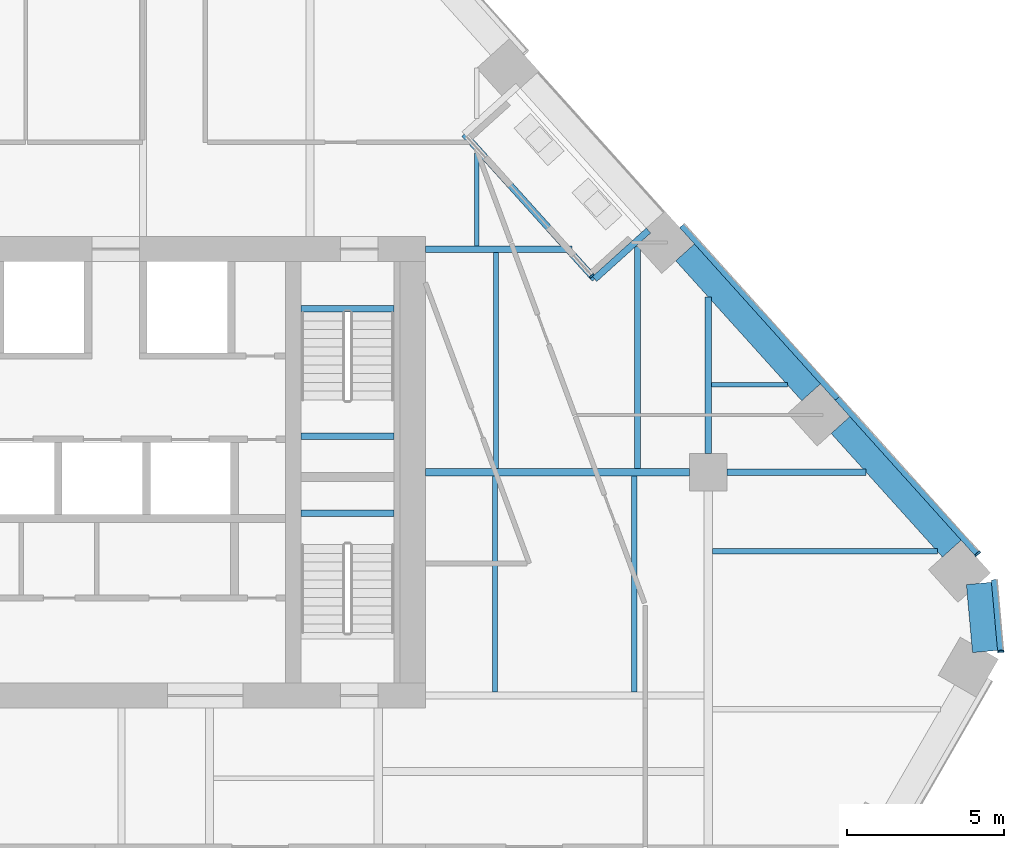
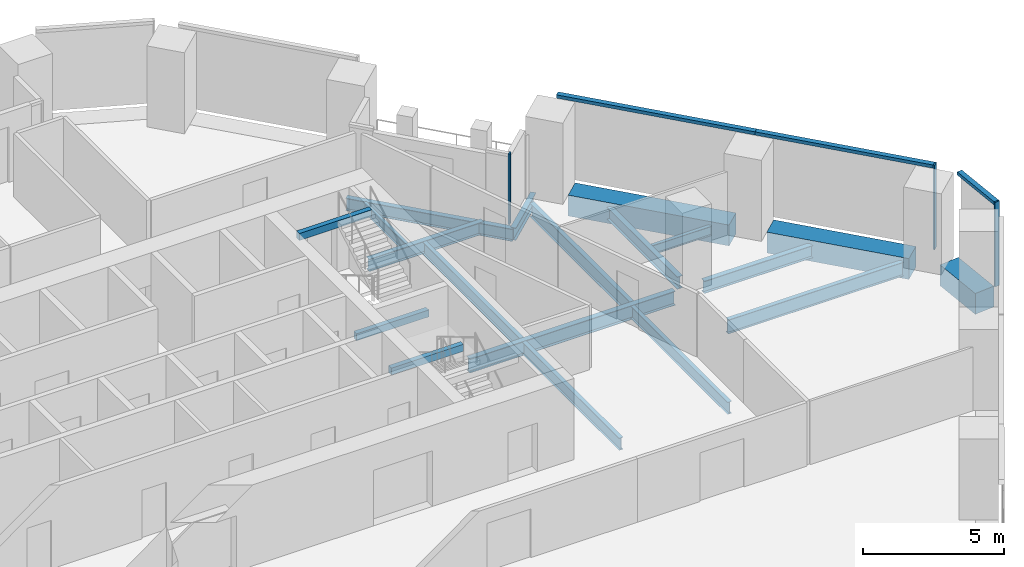
# One storey, part 9 of 24: 19 beams, 6 members, 3 elements without a shape of their own.
"""IFC4 building model written with IfcOpenShell, lengths in metres."""

from ifc_helpers import new_model, si_unit, direction, frame, origin, origin_2d, place, context, subcontext, project, spatial, rectangle, i_section, extrude, material, layer, layer_set, material_profile, profile_set, type_object, element, aggregate, save


model = new_model("IFC4")

# Units and contexts
model_context = context("Model", 3, precision=1e-05, world=origin(), true_north=direction((0.0, 1.0)))
body_context = subcontext(model_context, "Body", "Model", "MODEL_VIEW")
ifc_project = project(units=[si_unit("LENGTHUNIT", "METRE"), si_unit("AREAUNIT", "SQUARE_METRE"), si_unit("VOLUMEUNIT", "CUBIC_METRE"), si_unit("PLANEANGLEUNIT", "RADIAN"), si_unit("MASSUNIT", "GRAM", prefix="KILO")], contexts=[model_context])

# Site, building, storey
site_placement = place(None, origin())
site = spatial("IfcSite", under=ifc_project, at=site_placement, CompositionType="ELEMENT")
building_placement = place(site_placement, origin())
building = spatial("IfcBuilding", under=site, at=building_placement, Name="Isthmus Gate Tower", CompositionType="ELEMENT")
storey_placement = place(building_placement, frame((0.0, 0.0, 159.0)))
storey = spatial("IfcBuildingStorey", under=building, at=storey_placement, Name="L39", CompositionType="ELEMENT", Elevation=159.0)

# Curtain wall, member
ifc_material_1 = material(Name="Aluminium, pale champagne anodised", Category="aluminium")
ifc_layer_1 = layer(ifc_material_1, 0.199951171875)
ifc_layer_set_1 = layer_set([ifc_layer_1], Name="CW-1 UNITISED CURTAIN WALL 200 DEEP")
curtain_wall_type_1 = type_object("IfcCurtainWallType", Name="CW-1 UNITISED CURTAIN WALL 200 DEEP", PredefinedType="NOTDEFINED", material=ifc_layer_set_1)
curtain_wall_1_placement = place(storey_placement, origin())
curtain_wall_1 = element("IfcCurtainWall", 1, at=curtain_wall_1_placement, inside=storey, type_object=curtain_wall_type_1, Name="CW-1 SE-NE L39", PredefinedType="NOTDEFINED")
ifc_material_2 = material(Name="Aluminium, pale champagne anodised", Category="aluminium")
ifc_material_profile_1 = material_profile(ifc_material_2, rectangle(XDim=0.06005859375, YDim=0.199951171875, at=origin_2d()), Name="60x200")
ifc_profile_set_1 = profile_set([ifc_material_profile_1], Name="Aluminium, pale champagne anodised")
member_type_1 = type_object("IfcMemberType", Name="CW-1 MULLION 60 X 200", PredefinedType="MULLION", material=ifc_profile_set_1)
member_1_placement = place(storey_placement, frame((33.307861328125, 1.804443359375, 0.0), z_axis=(0.0, 0.0, 1.0), x_axis=(-0.089396669717, 0.995996102123, 0.0)))
member_1 = element("IfcMember", 2, at=member_1_placement, type_object=member_type_1, Name="CW-1 mullion", PredefinedType="MULLION", context=body_context, shape_type="SweptSolid", body=[
    extrude(rectangle(XDim=0.06005859375, YDim=0.199951171875, at=origin_2d()), origin(), (0.0, 0.0, 1.0), 3.64990234375),
])

curtain_wall_2_placement = place(storey_placement, origin())
curtain_wall_2 = element("IfcCurtainWall", 3, at=curtain_wall_2_placement, inside=storey, type_object=curtain_wall_type_1, Name="CW-1 NE L39", PredefinedType="NOTDEFINED")
member_2_placement = place(storey_placement, frame((32.5693359375, 4.908447265625, 0.0), z_axis=(0.0, 0.0, 1.0), x_axis=(-0.669130606359, 0.743144825477, 0.0)))
member_2 = element("IfcMember", 4, at=member_2_placement, type_object=member_type_1, Name="CW-1 mullion", PredefinedType="MULLION", context=body_context, shape_type="SweptSolid", body=[
    extrude(rectangle(XDim=0.06005859375, YDim=0.199951171875, at=origin_2d()), origin(), (0.0, 0.0, 1.0), 3.64990234375),
])

# Member
ifc_material_3 = material(Name="Aluminium, pale champagne anodised", Category="aluminium")
ifc_material_profile_2 = material_profile(ifc_material_3, rectangle(XDim=0.199951171875, YDim=0.139892578125, at=origin_2d()), Name="200x140")
ifc_profile_set_2 = profile_set([ifc_material_profile_2], Name="Aluminium, pale champagne anodised")
member_type_2 = type_object("IfcMemberType", Name="CW-1 TRANSOM 200 X 140", PredefinedType="USERDEFINED", material=ifc_profile_set_2)
member_3_placement = place(storey_placement, frame((33.30517578125, 1.83447265625, 3.580078125), z_axis=(-0.089395362867, 0.995996219419, 0.0), x_axis=(-0.995996219419, -0.089395362867, 0.0)))
member_3 = element("IfcMember", 5, at=member_3_placement, type_object=member_type_2, Name="CW-1 transom", ObjectType="TRANSOM", PredefinedType="USERDEFINED", context=body_context, shape_type="SweptSolid", body=[
    extrude(rectangle(XDim=0.199951171875, YDim=0.139892578125, at=origin_2d()), origin(), (0.0, 0.0, 1.0), 2.258544921875),
])

aggregate(curtain_wall_1, [member_1, member_3])

member_4_placement = place(storey_placement, frame((32.54931640625, 4.930908203125, 3.580078125), z_axis=(-0.669153891975, 0.743123858354, 0.0), x_axis=(-0.743123858354, -0.669153891975, 0.0)))
member_4 = element("IfcMember", 6, at=member_4_placement, type_object=member_type_2, Name="CW-1 transom", ObjectType="TRANSOM", PredefinedType="USERDEFINED", context=body_context, shape_type="SweptSolid", body=[
    extrude(rectangle(XDim=0.199951171875, YDim=0.139892578125, at=origin_2d()), origin(), (0.0, 0.0, 1.0), 6.630859375),
])

member_5_placement = place(storey_placement, frame((28.1123046875, 9.8583984375, 3.580078125), z_axis=(-0.669123495435, 0.74315122812, 0.0), x_axis=(-0.74315122812, -0.669123495435, 0.0)))
member_5 = element("IfcMember", 7, at=member_5_placement, type_object=member_type_2, Name="CW-1 transom", ObjectType="TRANSOM", PredefinedType="USERDEFINED", context=body_context, shape_type="SweptSolid", body=[
    extrude(rectangle(XDim=0.199951171875, YDim=0.139892578125, at=origin_2d()), origin(), (0.0, 0.0, 1.0), 7.390625),
])

aggregate(curtain_wall_2, [member_2, member_4, member_5])

# Curtain wall, member
ifc_material_4 = material(Name="Aluminium, pale champagne anodised", Category="aluminium")
ifc_layer_2 = layer(ifc_material_4, 0.14990234375)
ifc_layer_set_2 = layer_set([ifc_layer_2], Name="CW-6 LOGGIA BACK WALL GLAZING 150 DEEP")
curtain_wall_type_2 = type_object("IfcCurtainWallType", Name="CW-6 LOGGIA BACK WALL GLAZING 150 DEEP", PredefinedType="NOTDEFINED", material=ifc_layer_set_2)
curtain_wall_3_placement = place(storey_placement, origin())
curtain_wall_3 = element("IfcCurtainWall", 8, at=curtain_wall_3_placement, inside=storey, type_object=curtain_wall_type_2, Name="CW-6 NE L39", PredefinedType="NOTDEFINED")
ifc_material_5 = material(Name="Aluminium, pale champagne anodised", Category="aluminium")
ifc_material_profile_3 = material_profile(ifc_material_5, rectangle(XDim=0.06005859375, YDim=0.14990234375, at=origin_2d()), Name="60x150")
ifc_profile_set_3 = profile_set([ifc_material_profile_3], Name="Aluminium, pale champagne anodised")
member_type_3 = type_object("IfcMemberType", Name="CW-6 MULLION 60 X 150", PredefinedType="MULLION", material=ifc_profile_set_3)
member_6_placement = place(storey_placement, frame((20.30029296875, 13.752197265625, 0.0), z_axis=(0.0, 0.0, 1.0), x_axis=(-0.669130606359, 0.743144825477, 0.0)))
member_6 = element("IfcMember", 9, at=member_6_placement, type_object=member_type_3, Name="CW-6 mullion", PredefinedType="MULLION", context=body_context, shape_type="SweptSolid", body=[
    extrude(rectangle(XDim=0.06005859375, YDim=0.14990234375, at=origin_2d()), origin(), (0.0, 0.0, 1.0), 3.050048828125),
])
aggregate(curtain_wall_3, [member_6])

# Beams
ifc_material_6 = material(Name="Concrete f'c 60 MPa", Category="concrete")
ifc_material_profile_4 = material_profile(ifc_material_6, rectangle(XDim=0.800048828125, YDim=0.89990234375, at=origin_2d()), Name="RC 800X900")
ifc_profile_set_4 = profile_set([ifc_material_profile_4], Name="Concrete f'c 60 MPa")
beam_type_1 = type_object("IfcBeamType", Name="RC SPANDREL 800 X 900", PredefinedType="SPANDREL", material=ifc_profile_set_4)
beam_1_placement = place(storey_placement, frame((23.263671875, 14.49609375, -0.449951171875), z_axis=(0.669156088603, -0.74312188037, 0.0), x_axis=(0.74312188037, 0.669156088603, 0.0)))
element("IfcBeam", 10, at=beam_1_placement, inside=storey, type_object=beam_type_1, Name="str-spandrel-L39-03", PredefinedType="SPANDREL", context=body_context, shape_type="SweptSolid", body=[
    extrude(rectangle(XDim=0.800048828125, YDim=0.89990234375, at=origin_2d()), origin(), (0.0, 0.0, 1.0), 5.99072265625),
])
beam_2_placement = place(storey_placement, frame((28.209228515625, 9.003662109375, -0.449951171875), z_axis=(0.669130424574, -0.743144989157, 0.0), x_axis=(0.743144989157, 0.669130424574, 0.0)))
element("IfcBeam", 11, at=beam_2_placement, inside=storey, type_object=beam_type_1, Name="str-spandrel-L39-04", PredefinedType="SPANDREL", context=body_context, shape_type="SweptSolid", body=[
    extrude(rectangle(XDim=0.800048828125, YDim=0.89990234375, at=origin_2d()), origin(), (0.0, 0.0, 1.0), 5.290771484375),
])
beam_3_placement = place(storey_placement, frame((32.61181640625, 3.964599609375, -0.449951171875), z_axis=(0.089421511639, -0.995993872098, 0.0), x_axis=(0.995993872098, 0.089421511639, 0.0)))
element("IfcBeam", 12, at=beam_3_placement, inside=storey, type_object=beam_type_1, Name="str-spandrel-L39-05", PredefinedType="SPANDREL", context=body_context, shape_type="SweptSolid", body=[
    extrude(rectangle(XDim=0.800048828125, YDim=0.89990234375, at=origin_2d()), origin(), (0.0, 0.0, 1.0), 2.17333984375),
])
ifc_material_7 = material(Name="Concrete f'c 40 MPa", Category="concrete")
ifc_material_profile_5 = material_profile(ifc_material_7, rectangle(XDim=0.199951171875, YDim=0.300048828125, at=origin_2d()), Name="STAIR LANDING BEAM RC 200 X 300")
ifc_profile_set_5 = profile_set([ifc_material_profile_5], Name="Concrete f'c 40 MPa")
beam_type_2 = type_object("IfcBeamType", Name="STAIR LANDING BEAM RC 200 X 300", PredefinedType="BEAM", material=ifc_profile_set_5)
for number, where, z_axis, x_axis, name in (
    (13, (11.050048828125, 8.64990234375, 1.47509765625), (1.0, 0.0, 0.0), (0.0, 1.0, 0.0), "L39 ST2 landing beam 1"),
    (14, (11.050048828125, 12.7001953125, 3.35009765625), (1.0, 0.0, 0.0), (0.0, 1.0, 0.0), "L39 ST2 floor-edge seat beam"),
    (15, (11.050048828125, 6.199951171875, 1.47509765625), (1.0, 0.0, 0.0), (0.0, 1.0, 0.0), "L39 ST8 landing beam 1"),
):
    element("IfcBeam", number, at=place(storey_placement, frame(where, z_axis=z_axis, x_axis=x_axis)), inside=storey, type_object=beam_type_2, Name=name, PredefinedType="BEAM", context=body_context, shape_type="SweptSolid", body=[
        extrude(rectangle(XDim=0.199951171875, YDim=0.300048828125, at=origin_2d()), origin(), (0.0, 0.0, 1.0), 2.949951171875),
    ])
ifc_material_8 = material(Name="Structural steel ASTM A992 Gr 50", Category="steel")
ifc_material_profile_6 = material_profile(ifc_material_8, i_section(OverallWidth=0.1396484375, OverallDepth=0.4033203125, WebThickness=0.00634765625, FlangeThickness=0.010986328125, at=origin_2d()), Name="W16X31")
ifc_profile_set_6 = profile_set([ifc_material_profile_6], Name="Structural steel ASTM A992 Gr 50")
beam_type_3 = type_object("IfcBeamType", Name="STEEL FLOOR BEAM W16X31", PredefinedType="JOIST", material=ifc_profile_set_6)
beam_4_placement = place(storey_placement, frame((16.640869140625, 14.704833984375, -0.3515625), z_axis=(0.0, 1.0, 0.0), x_axis=(-1.0, 0.0, 0.0)))
element("IfcBeam", 16, at=beam_4_placement, inside=storey, type_object=beam_type_3, Name="str-beam-L39-07-07", PredefinedType="JOIST", context=body_context, shape_type="SweptSolid", body=[
    extrude(i_section(OverallWidth=0.1396484375, OverallDepth=0.4033203125, WebThickness=0.00634765625, FlangeThickness=0.010986328125, at=origin_2d()), origin(), (0.0, 0.0, 1.0), 2.947998046875),
])
beam_5_placement = place(storey_placement, frame((24.104736328125, 10.284423828125, -0.3515625), z_axis=(1.0, 0.0, 0.0), x_axis=(0.0, 1.0, 0.0)))
element("IfcBeam", 17, at=beam_5_placement, inside=storey, type_object=beam_type_3, Name="str-beam-L39-20-00", PredefinedType="JOIST", context=body_context, shape_type="SweptSolid", body=[
    extrude(i_section(OverallWidth=0.1396484375, OverallDepth=0.4033203125, WebThickness=0.00634765625, FlangeThickness=0.010986328125, at=origin_2d()), origin(), (0.0, 0.0, 1.0), 2.412841796875),
])
ifc_material_9 = material(Name="Structural steel ASTM A992 Gr 50", Category="steel")
ifc_material_profile_7 = material_profile(ifc_material_9, i_section(OverallWidth=0.1650390625, OverallDepth=0.52392578125, WebThickness=0.009521484375, FlangeThickness=0.010986328125, at=origin_2d()), Name="W21X44")
ifc_profile_set_7 = profile_set([ifc_material_profile_7], Name="Structural steel ASTM A992 Gr 50")
beam_type_4 = type_object("IfcBeamType", Name="STEEL FLOOR BEAM W21X44", PredefinedType="JOIST", material=ifc_profile_set_7)
beam_6_placement = place(storey_placement, frame((17.25, 7.6142578125, -0.411865234375), z_axis=(0.0, 1.0, 0.0), x_axis=(-1.0, 0.0, 0.0)))
element("IfcBeam", 18, at=beam_6_placement, inside=storey, type_object=beam_type_4, Name="str-beam-L39-16-00", PredefinedType="JOIST", context=body_context, shape_type="SweptSolid", body=[
    extrude(i_section(OverallWidth=0.1650390625, OverallDepth=0.52392578125, WebThickness=0.009521484375, FlangeThickness=0.010986328125, at=origin_2d()), origin(), (0.0, 0.0, 1.0), 6.881103515625),
])
for number, where, z_axis, x_axis, name in (
    (19, (17.216552734375, 0.514404296875, -0.411865234375), (0.0, 1.0, 0.0), (-1.0, 0.0, 0.0), "str-beam-L39-17-00"),
    (20, (21.64990234375, 0.514404296875, -0.411865234375), (0.0, 1.0, 0.0), (-1.0, 0.0, 0.0), "str-beam-L39-17-01"),
):
    element("IfcBeam", number, at=place(storey_placement, frame(where, z_axis=z_axis, x_axis=x_axis)), inside=storey, type_object=beam_type_4, Name=name, PredefinedType="JOIST", context=body_context, shape_type="SweptSolid", body=[
        extrude(i_section(OverallWidth=0.1650390625, OverallDepth=0.52392578125, WebThickness=0.009521484375, FlangeThickness=0.010986328125, at=origin_2d()), origin(), (0.0, 0.0, 1.0), 6.871337890625),
    ])
ifc_material_10 = material(Name="Structural steel ASTM A992 Gr 50", Category="steel")
ifc_material_profile_8 = material_profile(ifc_material_10, i_section(OverallWidth=0.177734375, OverallDepth=0.60009765625, WebThickness=0.009521484375, FlangeThickness=0.0126953125, at=origin_2d()), Name="W24X55")
ifc_profile_set_8 = profile_set([ifc_material_profile_8], Name="Structural steel ASTM A992 Gr 50")
beam_type_5 = type_object("IfcBeamType", Name="STEEL FLOOR BEAM W24X55", PredefinedType="JOIST", material=ifc_profile_set_8)
beam_7_placement = place(storey_placement, frame((21.75, 7.6142578125, -0.449951171875), z_axis=(0.0, 1.0, 0.0), x_axis=(-1.0, 0.0, 0.0)))
element("IfcBeam", 21, at=beam_7_placement, inside=storey, type_object=beam_type_5, Name="str-beam-L39-16-01", PredefinedType="JOIST", context=body_context, shape_type="SweptSolid", body=[
    extrude(i_section(OverallWidth=0.177734375, OverallDepth=0.60009765625, WebThickness=0.009521484375, FlangeThickness=0.0126953125, at=origin_2d()), origin(), (0.0, 0.0, 1.0), 7.068603515625),
])
beam_8_placement = place(storey_placement, frame((24.13330078125, 4.987548828125, -0.449951171875), z_axis=(1.0, 0.0, 0.0), x_axis=(0.0, 1.0, 0.0)))
element("IfcBeam", 22, at=beam_8_placement, inside=storey, type_object=beam_type_5, Name="str-beam-L39-21-02", PredefinedType="JOIST", context=body_context, shape_type="SweptSolid", body=[
    extrude(i_section(OverallWidth=0.177734375, OverallDepth=0.60009765625, WebThickness=0.009521484375, FlangeThickness=0.0126953125, at=origin_2d()), origin(), (0.0, 0.0, 1.0), 7.15380859375),
])
ifc_material_11 = material(Name="Structural steel ASTM A992 Gr 50", Category="steel")
ifc_material_profile_9 = material_profile(ifc_material_11, i_section(OverallWidth=0.20947265625, OverallDepth=0.533447265625, WebThickness=0.009521484375, FlangeThickness=0.015869140625, at=origin_2d()), Name="W21X62")
ifc_profile_set_9 = profile_set([ifc_material_profile_9], Name="Structural steel ASTM A992 Gr 50")
beam_type_6 = type_object("IfcBeamType", Name="STEEL GIRDER W21X62", PredefinedType="BEAM", material=ifc_profile_set_9)
beam_9_placement = place(storey_placement, frame((24.60009765625, 7.5, -0.416748046875), z_axis=(1.0, 0.0, 0.0), x_axis=(0.0, 1.0, 0.0)))
element("IfcBeam", 23, at=beam_9_placement, inside=storey, type_object=beam_type_6, Name="str-girder-L39-06", PredefinedType="BEAM", context=body_context, shape_type="SweptSolid", body=[
    extrude(i_section(OverallWidth=0.20947265625, OverallDepth=0.533447265625, WebThickness=0.009521484375, FlangeThickness=0.015869140625, at=origin_2d()), origin(), (0.0, 0.0, 1.0), 4.4248046875),
])
beam_10_placement = place(storey_placement, frame((24.0, 8.10009765625, -0.416748046875), z_axis=(0.0, 1.0, 0.0), x_axis=(-1.0, 0.0, 0.0)))
element("IfcBeam", 24, at=beam_10_placement, inside=storey, type_object=beam_type_6, Name="str-girder-L39-12", PredefinedType="BEAM", context=body_context, shape_type="SweptSolid", body=[
    extrude(i_section(OverallWidth=0.20947265625, OverallDepth=0.533447265625, WebThickness=0.009521484375, FlangeThickness=0.015869140625, at=origin_2d()), origin(), (0.0, 0.0, 1.0), 4.98046875),
])
beam_11_placement = place(storey_placement, frame((15.0, 14.60009765625, -0.416748046875), z_axis=(1.0, 0.0, 0.0), x_axis=(0.0, 1.0, 0.0)))
element("IfcBeam", 25, at=beam_11_placement, inside=storey, type_object=beam_type_6, Name="str-girder-L39-16", PredefinedType="BEAM", context=body_context, shape_type="SweptSolid", body=[
    extrude(i_section(OverallWidth=0.20947265625, OverallDepth=0.533447265625, WebThickness=0.009521484375, FlangeThickness=0.015869140625, at=origin_2d()), origin(), (0.0, 0.0, 1.0), 4.671630859375),
])
ifc_material_12 = material(Name="Structural steel ASTM A992 Gr 50", Category="steel")
ifc_material_profile_10 = material_profile(ifc_material_12, i_section(OverallWidth=0.228515625, OverallDepth=0.6064453125, WebThickness=0.010986328125, FlangeThickness=0.017578125, at=origin_2d()), Name="W24X76")
ifc_profile_set_10 = profile_set([ifc_material_profile_10], Name="Structural steel ASTM A992 Gr 50")
beam_type_7 = type_object("IfcBeamType", Name="STEEL GIRDER W24X76", PredefinedType="BEAM", material=ifc_profile_set_10)
beam_12_placement = place(storey_placement, frame((15.0, 7.5, -0.453125), z_axis=(1.0, 0.0, 0.0), x_axis=(0.0, 1.0, 0.0)))
element("IfcBeam", 26, at=beam_12_placement, inside=storey, type_object=beam_type_7, Name="str-girder-L39-05", PredefinedType="BEAM", context=body_context, shape_type="SweptSolid", body=[
    extrude(i_section(OverallWidth=0.228515625, OverallDepth=0.6064453125, WebThickness=0.010986328125, FlangeThickness=0.017578125, at=origin_2d()), origin(), (0.0, 0.0, 1.0), 8.39990234375),
])
ifc_material_13 = material(Name="Structural steel ASTM A992 Gr 50", Category="steel")
ifc_material_profile_11 = material_profile(ifc_material_13, i_section(OverallWidth=0.20947265625, OverallDepth=0.533447265625, WebThickness=0.009521484375, FlangeThickness=0.015869140625, at=origin_2d()), Name="W21X62")
ifc_profile_set_11 = profile_set([ifc_material_profile_11], Name="Structural steel ASTM A992 Gr 50")
beam_type_8 = type_object("IfcBeamType", Name="STEEL TRIMMER W21X62", PredefinedType="BEAM", material=ifc_profile_set_11)
beam_13_placement = place(storey_placement, frame((20.386962890625, 13.64892578125, -0.416748046875), z_axis=(-0.669123527334, 0.743151199399, 0.0), x_axis=(-0.743151199399, -0.669123527334, 0.0)))
element("IfcBeam", 27, at=beam_13_placement, inside=storey, type_object=beam_type_8, Name="str-loggiatrim-L39-05-B", PredefinedType="BEAM", context=body_context, shape_type="SweptSolid", body=[
    extrude(i_section(OverallWidth=0.20947265625, OverallDepth=0.533447265625, WebThickness=0.009521484375, FlangeThickness=0.015869140625, at=origin_2d()), origin(), (0.0, 0.0, 1.0), 6.2001953125),
])
beam_14_placement = place(storey_placement, frame((22.099853515625, 15.19091796875, -0.416748046875), z_axis=(-0.743209863982, -0.669058366721, 0.0), x_axis=(0.669058366721, -0.743209863982, 0.0)))
element("IfcBeam", 28, at=beam_14_placement, inside=storey, type_object=beam_type_8, Name="str-loggiatrim-L39-05-A", PredefinedType="BEAM", context=body_context, shape_type="SweptSolid", body=[
    extrude(i_section(OverallWidth=0.20947265625, OverallDepth=0.533447265625, WebThickness=0.009521484375, FlangeThickness=0.015869140625, at=origin_2d()), origin(), (0.0, 0.0, 1.0), 2.3046875),
])

save(model, "model.ifc")
